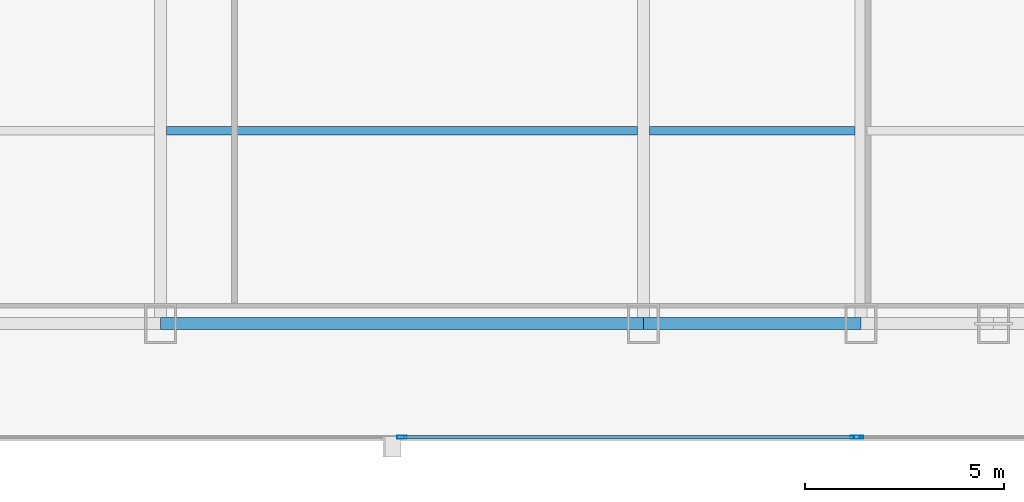
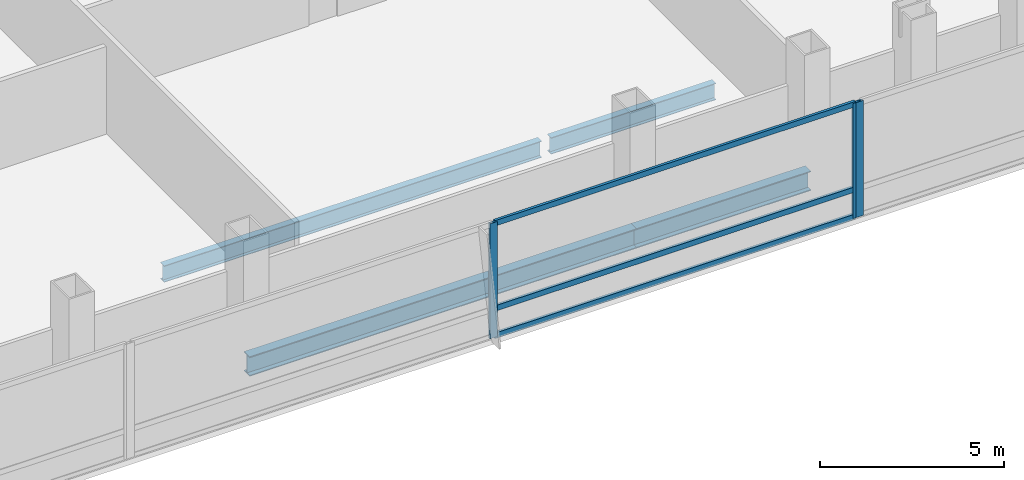
# One storey, part 11 of 32: 6 members, 4 beams, 2 elements without a shape of their own.
"""IFC4 building model written with IfcOpenShell, lengths in metres."""

from ifc_helpers import new_model, si_unit, direction, frame, origin, origin_2d, place, context, subcontext, project, spatial, hollow_rectangle, i_section, extrude, material, material_profile, profile_set, type_object, element, aggregate, save


model = new_model("IFC4")

# Units and contexts
model_context = context("Model", 3, precision=1e-05, world=origin(), true_north=direction((0.0, 1.0)))
body_context = subcontext(model_context, "Body", "Model", "MODEL_VIEW")
ifc_project = project(units=[si_unit("LENGTHUNIT", "METRE"), si_unit("AREAUNIT", "SQUARE_METRE"), si_unit("VOLUMEUNIT", "CUBIC_METRE"), si_unit("PLANEANGLEUNIT", "RADIAN"), si_unit("MASSUNIT", "GRAM", prefix="KILO")], contexts=[model_context])

# Site, building, storey
site_placement = place(None, origin())
site = spatial("IfcSite", under=ifc_project, at=site_placement, CompositionType="ELEMENT")
building_placement = place(site_placement, origin())
building = spatial("IfcBuilding", under=site, at=building_placement, Name="Khoronbel Lancet Exchange", CompositionType="ELEMENT")
storey_placement = place(building_placement, frame((0.0, 0.0, 77.800048828125)))
storey = spatial("IfcBuildingStorey", under=building, at=storey_placement, Name="L18", CompositionType="ELEMENT", Elevation=77.800048828125)

# Beams
ifc_material_1 = material(Name="Steel S355", Category="steel")
ifc_material_profile_1 = material_profile(ifc_material_1, i_section(OverallWidth=0.2099609375, OverallDepth=0.550048828125, WebThickness=0.010986328125, FlangeThickness=0.01708984375, at=origin_2d()), Name="IPE 550")
ifc_profile_set_1 = profile_set([ifc_material_profile_1], Name="Steel S355")
beam_type_1 = type_object("IfcBeamType", Name="BM-BJ2", PredefinedType="JOIST", material=ifc_profile_set_1)
beam_1_placement = place(storey_placement, frame((30.52490234375, 15.0, -0.455078125), z_axis=(1.0, 0.0, 0.0), x_axis=(0.0, 1.0, 0.0)))
element("IfcBeam", 1, at=beam_1_placement, inside=storey, type_object=beam_type_1, Name="Level L18 secondary composite joist J03", PredefinedType="JOIST", context=body_context, shape_type="SweptSolid", body=[
    extrude(i_section(OverallWidth=0.2099609375, OverallDepth=0.550048828125, WebThickness=0.010986328125, FlangeThickness=0.01708984375, at=origin_2d()), origin(), (0.0, 0.0, 1.0), 11.85009765625),
])
beam_2_placement = place(storey_placement, frame((42.675048828125, 15.0, -0.455078125), z_axis=(1.0, 0.0, 0.0), x_axis=(0.0, 1.0, 0.0)))
element("IfcBeam", 2, at=beam_2_placement, inside=storey, type_object=beam_type_1, Name="Level L18 secondary composite joist J04", PredefinedType="JOIST", context=body_context, shape_type="SweptSolid", body=[
    extrude(i_section(OverallWidth=0.2099609375, OverallDepth=0.550048828125, WebThickness=0.010986328125, FlangeThickness=0.01708984375, at=origin_2d()), origin(), (0.0, 0.0, 1.0), 5.175048828125),
])
ifc_material_profile_2 = material_profile(ifc_material_1, i_section(OverallWidth=0.300048828125, OverallDepth=0.64990234375, WebThickness=0.01611328125, FlangeThickness=0.031005859375, at=origin_2d()), Name="HEB 650")
ifc_profile_set_2 = profile_set([ifc_material_profile_2], Name="Steel S355")
beam_type_2 = type_object("IfcBeamType", Name="BM-BSP1", PredefinedType="SPANDREL", material=ifc_profile_set_2)
beam_3_placement = place(storey_placement, frame((30.375, 10.14990234375, -0.505126953125), z_axis=(1.0, 0.0, 0.0), x_axis=(0.0, 1.0, 0.0)))
element("IfcBeam", 3, at=beam_3_placement, inside=storey, type_object=beam_type_2, Name="Level L18 perimeter spandrel beam SP05", PredefinedType="SPANDREL", context=body_context, shape_type="SweptSolid", body=[
    extrude(i_section(OverallWidth=0.300048828125, OverallDepth=0.64990234375, WebThickness=0.01611328125, FlangeThickness=0.031005859375, at=origin_2d()), origin(), (0.0, 0.0, 1.0), 12.14990234375),
])
beam_4_placement = place(storey_placement, frame((42.52490234375, 10.14990234375, -0.505126953125), z_axis=(1.0, 0.0, 0.0), x_axis=(0.0, 1.0, 0.0)))
element("IfcBeam", 4, at=beam_4_placement, inside=storey, type_object=beam_type_2, Name="Level L18 perimeter spandrel beam SP06", PredefinedType="SPANDREL", context=body_context, shape_type="SweptSolid", body=[
    extrude(i_section(OverallWidth=0.300048828125, OverallDepth=0.64990234375, WebThickness=0.01611328125, FlangeThickness=0.031005859375, at=origin_2d()), origin(), (0.0, 0.0, 1.0), 5.47509765625),
])

# Curtain wall, members
ifc_material_2 = material(Name="Low-E Solar Control Insulating Glass", Category="glass")
curtain_wall_type = type_object("IfcCurtainWallType", Name="CW-1", PredefinedType="NOTDEFINED", material=ifc_material_2)
curtain_wall_1_placement = place(storey_placement, origin())
curtain_wall_1 = element("IfcCurtainWall", 5, at=curtain_wall_1_placement, inside=storey, type_object=curtain_wall_type, Name="Unitised curtain wall CW-L18-SCV", PredefinedType="NOTDEFINED")
ifc_material_3 = material(Name="Bronze-Anodised Aluminium 6063-T6", Category="aluminium")
ifc_material_profile_3 = material_profile(ifc_material_3, hollow_rectangle(XDim=0.0849609375, YDim=0.239990234375, WallThickness=0.006103515625, at=origin_2d()), Name="ALU MULLION 85x240")
ifc_profile_set_3 = profile_set([ifc_material_profile_3], Name="Bronze-Anodised Aluminium 6063-T6")
member_type_1 = type_object("IfcMemberType", Name="MEM-CWM1", PredefinedType="MULLION", material=ifc_profile_set_3)
member_1_placement = place(storey_placement, frame((36.449951171875, 7.2900390625, 0.0), z_axis=(0.0, 0.0, 1.0), x_axis=(0.0, 1.0, 0.0)))
member_1 = element("IfcMember", 6, at=member_1_placement, type_object=member_type_1, Name="CW1 mullion 2", PredefinedType="MULLION", context=body_context, shape_type="SweptSolid", body=[
    extrude(hollow_rectangle(XDim=0.0849609375, YDim=0.239990234375, WallThickness=0.006103515625, at=origin_2d()), origin(), (0.0, 0.0, 1.0), 3.820068359375),
])
member_2_placement = place(storey_placement, frame((47.857421875, 7.2900390625, 0.0), z_axis=(0.0, 0.0, 1.0), x_axis=(0.0, 1.0, 0.0)))
member_2 = element("IfcMember", 7, at=member_2_placement, type_object=member_type_1, Name="CW1 mullion 3", PredefinedType="MULLION", context=body_context, shape_type="SweptSolid", body=[
    extrude(hollow_rectangle(XDim=0.0849609375, YDim=0.239990234375, WallThickness=0.006103515625, at=origin_2d()), origin(), (0.0, 0.0, 1.0), 3.820068359375),
])

# Curtain wall, member
curtain_wall_2_placement = place(storey_placement, origin())
curtain_wall_2 = element("IfcCurtainWall", 8, at=curtain_wall_2_placement, inside=storey, type_object=curtain_wall_type, Name="Unitised curtain wall CW-L18-SEB", PredefinedType="NOTDEFINED")
member_3_placement = place(storey_placement, frame((47.9423828125, 7.2900390625, 0.0), z_axis=(0.0, 0.0, 1.0), x_axis=(0.0, 1.0, 0.0)))
member_3 = element("IfcMember", 9, at=member_3_placement, type_object=member_type_1, Name="CW1 mullion 1", PredefinedType="MULLION", context=body_context, shape_type="SweptSolid", body=[
    extrude(hollow_rectangle(XDim=0.0849609375, YDim=0.239990234375, WallThickness=0.006103515625, at=origin_2d()), origin(), (0.0, 0.0, 1.0), 3.820068359375),
])
aggregate(curtain_wall_2, [member_3])

# Member
ifc_material_profile_4 = material_profile(ifc_material_3, hollow_rectangle(XDim=0.0849609375, YDim=0.179931640625, WallThickness=0.0048828125, at=origin_2d()), Name="ALU TRANSOM 85x180")
ifc_profile_set_4 = profile_set([ifc_material_profile_4], Name="Bronze-Anodised Aluminium 6063-T6")
member_type_2 = type_object("IfcMemberType", Name="MEM-CWT1", PredefinedType="USERDEFINED", material=ifc_profile_set_4)
member_4_placement = place(storey_placement, frame((36.492431640625, 7.2900390625, 0.04248046875), z_axis=(1.0, 0.0, 0.0), x_axis=(0.0, 1.0, 0.0)))
member_4 = element("IfcMember", 10, at=member_4_placement, type_object=member_type_2, Name="CW1 transom 2.1", ObjectType="TRANSOM", PredefinedType="USERDEFINED", context=body_context, shape_type="SweptSolid", body=[
    extrude(hollow_rectangle(XDim=0.0849609375, YDim=0.179931640625, WallThickness=0.0048828125, at=origin_2d()), origin(), (0.0, 0.0, 1.0), 11.322509765625),
])

member_5_placement = place(storey_placement, frame((36.492431640625, 7.2900390625, 0.949951171875), z_axis=(1.0, 0.0, 0.0), x_axis=(0.0, 1.0, 0.0)))
member_5 = element("IfcMember", 11, at=member_5_placement, type_object=member_type_2, Name="CW1 transom 2.2", ObjectType="TRANSOM", PredefinedType="USERDEFINED", context=body_context, shape_type="SweptSolid", body=[
    extrude(hollow_rectangle(XDim=0.0849609375, YDim=0.179931640625, WallThickness=0.0048828125, at=origin_2d()), origin(), (0.0, 0.0, 1.0), 11.322509765625),
])

member_6_placement = place(storey_placement, frame((36.492431640625, 7.2900390625, 3.77734375), z_axis=(1.0, 0.0, 0.0), x_axis=(0.0, 1.0, 0.0)))
member_6 = element("IfcMember", 12, at=member_6_placement, type_object=member_type_2, Name="CW1 transom 2.3", ObjectType="TRANSOM", PredefinedType="USERDEFINED", context=body_context, shape_type="SweptSolid", body=[
    extrude(hollow_rectangle(XDim=0.0849609375, YDim=0.179931640625, WallThickness=0.0048828125, at=origin_2d()), origin(), (0.0, 0.0, 1.0), 11.322509765625),
])

aggregate(curtain_wall_1, [member_1, member_2, member_4, member_5, member_6])

save(model, "model.ifc")
